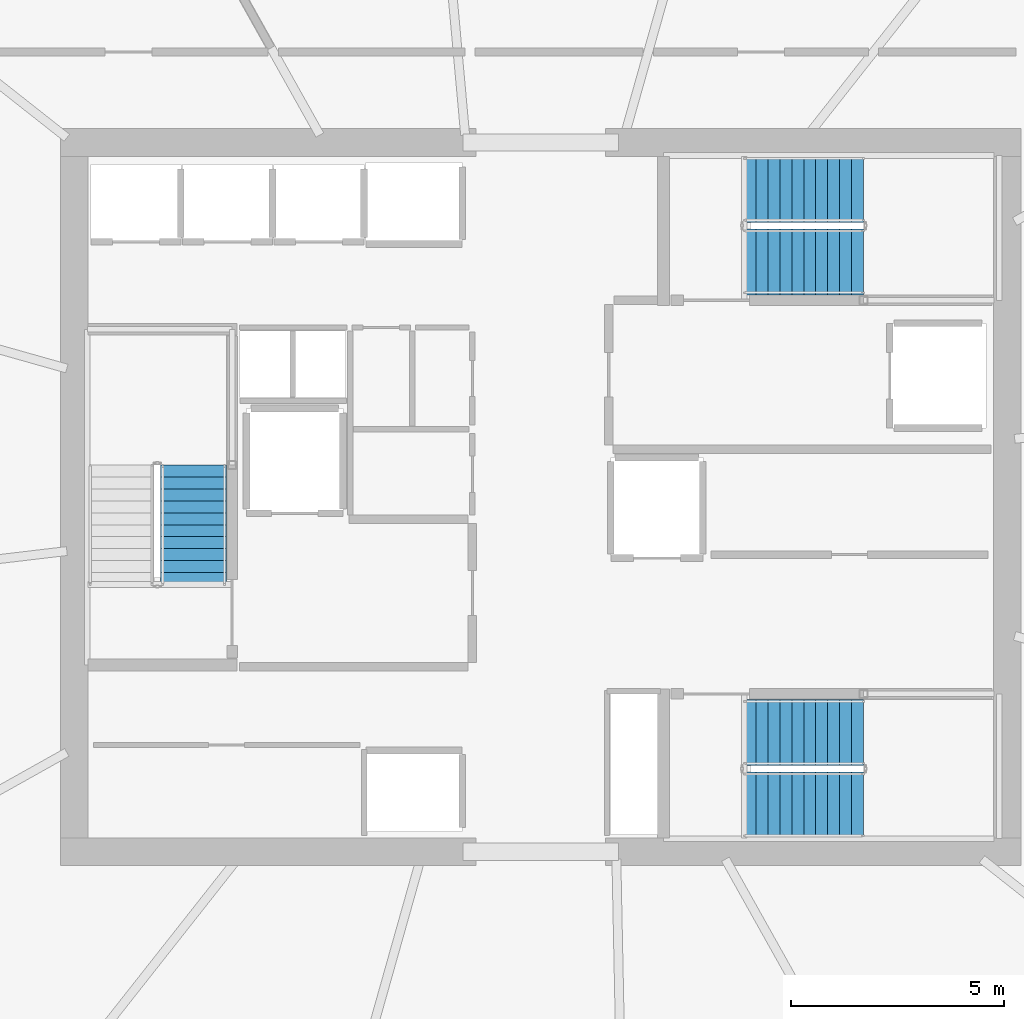
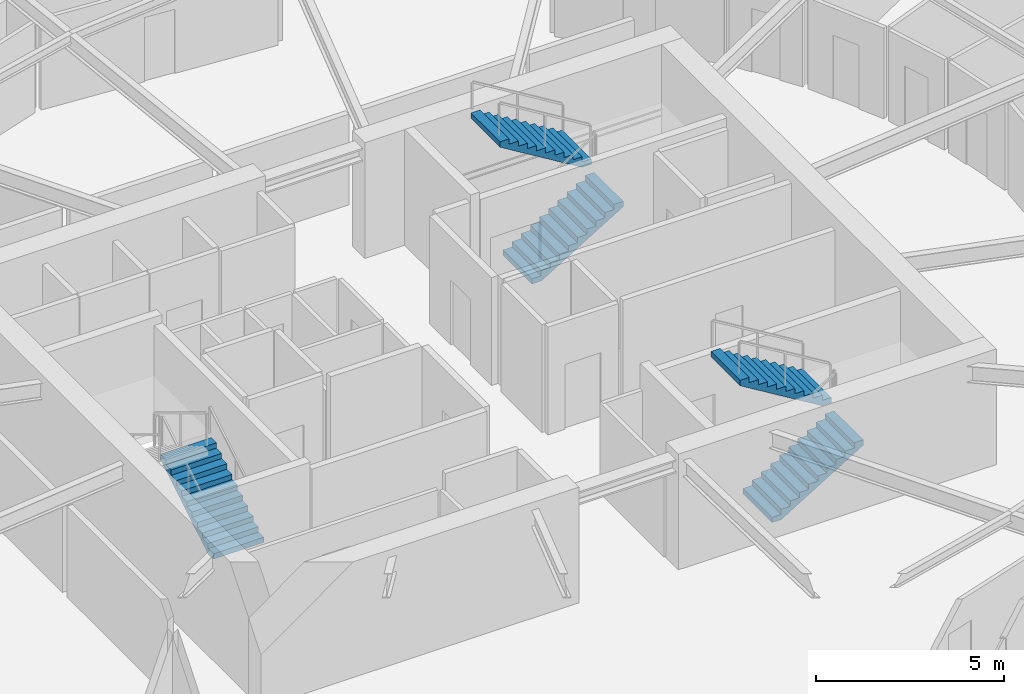
# One storey, part 16 of 21: 5 stair flights, 3 elements without a shape of their own.
"""IFC4 building model written with IfcOpenShell, lengths in metres."""

from ifc_helpers import new_model, si_unit, direction, frame, origin, place, context, subcontext, project, spatial, polyline, outline, extrude, material, type_object, element, aggregate, save


model = new_model("IFC4")

# Units and contexts
model_context = context("Model", 3, precision=1e-05, world=origin(), true_north=direction((0.0, 1.0)))
body_context = subcontext(model_context, "Body", "Model", "MODEL_VIEW")
ifc_project = project(units=[si_unit("LENGTHUNIT", "METRE"), si_unit("AREAUNIT", "SQUARE_METRE"), si_unit("VOLUMEUNIT", "CUBIC_METRE"), si_unit("PLANEANGLEUNIT", "RADIAN"), si_unit("MASSUNIT", "GRAM", prefix="KILO")], contexts=[model_context])

# Site, building, storey
site_placement = place(None, origin())
site = spatial("IfcSite", under=ifc_project, at=site_placement, CompositionType="ELEMENT")
building_placement = place(site_placement, origin())
building = spatial("IfcBuilding", under=site, at=building_placement, Name="Kazma Halo Residences", CompositionType="ELEMENT")
storey_placement = place(building_placement, frame((0.0, 0.0, 191.550048828125)))
storey = spatial("IfcBuildingStorey", under=building, at=storey_placement, Name="L48", CompositionType="ELEMENT", Elevation=191.550048828125)

# Stair, stair flight
ifc_material = material(Name="Concrete C50/60", Category="concrete")
stair_type = type_object("IfcStairType", Name="STR-RES1", PredefinedType="HALF_TURN_STAIR", material=ifc_material)
stair_1_placement = place(storey_placement, origin())
stair_1 = element("IfcStair", 1, at=stair_1_placement, inside=storey, type_object=stair_type, Name="L48 Core exit stair ST-01", PredefinedType="HALF_TURN_STAIR")
stair_flight_type = type_object("IfcStairFlightType", Name="STR-RES1-FLT", PredefinedType="STRAIGHT", material=ifc_material)
stair_flight_1_placement = place(storey_placement, frame((40.27490234375, 39.949951171875, 0.0), z_axis=(0.0, 0.0, 1.0), x_axis=(0.0, 1.0, 0.0)))
stair_flight_1 = element("IfcStairFlight", 2, at=stair_flight_1_placement, type_object=stair_flight_type, Name="ST-01 flight 1", NumberOfRisers=11, NumberOfTreads=10, PredefinedType="STRAIGHT", RiserHeight=0.170454545, TreadLength=0.28, context=body_context, shape_type="SweptSolid", body=[
    extrude(outline(polyline([(0.0, 0.0), (0.0, 0.17041015625), (0.280029296875, 0.17041015625), (0.280029296875, 0.3408203125), (0.56005859375, 0.3408203125), (0.56005859375, 0.511474609375), (0.840087890625, 0.511474609375), (0.840087890625, 0.681884765625), (1.1201171875, 0.681884765625), (1.1201171875, 0.852294921875), (1.39990234375, 0.852294921875), (1.39990234375, 1.022705078125), (1.679931640625, 1.022705078125), (1.679931640625, 1.193115234375), (1.9599609375, 1.193115234375), (1.9599609375, 1.363525390625), (2.239990234375, 1.363525390625), (2.239990234375, 1.5341796875), (2.52001953125, 1.5341796875), (2.52001953125, 1.70458984375), (2.800048828125, 1.70458984375), (2.800048828125, 1.875), (2.800048828125, 1.529052734375), (0.288330078125, 0.0), (0.0, 0.0)])), frame((0.0, 0.77490234375, 0.0), z_axis=(0.0, -1.0, 0.0), x_axis=(1.0, 0.0, 0.0)), (0.0, 0.0, 1.0), 1.550048828125),
])
aggregate(stair_1, [stair_flight_1])

# Stair, stair flights
stair_2_placement = place(storey_placement, origin())
stair_2 = element("IfcStair", 3, at=stair_2_placement, inside=storey, type_object=stair_type, Name="L48 Core exit stair ST-02", PredefinedType="HALF_TURN_STAIR")
stair_flight_2_placement = place(storey_placement, frame((53.199951171875, 47.52490234375, 0.0), z_axis=(0.0, 0.0, 1.0), x_axis=(1.0, 0.0, 0.0)))
stair_flight_2 = element("IfcStairFlight", 4, at=stair_flight_2_placement, type_object=stair_flight_type, Name="ST-02 flight 1", NumberOfRisers=11, NumberOfTreads=10, PredefinedType="STRAIGHT", RiserHeight=0.170454545, TreadLength=0.28, context=body_context, shape_type="SweptSolid", body=[
    extrude(outline(polyline([(0.0, 0.0), (0.0, 0.17041015625), (0.280029296875, 0.17041015625), (0.280029296875, 0.3408203125), (0.56005859375, 0.3408203125), (0.56005859375, 0.511474609375), (0.840087890625, 0.511474609375), (0.840087890625, 0.681884765625), (1.1201171875, 0.681884765625), (1.1201171875, 0.852294921875), (1.39990234375, 0.852294921875), (1.39990234375, 1.022705078125), (1.679931640625, 1.022705078125), (1.679931640625, 1.193115234375), (1.9599609375, 1.193115234375), (1.9599609375, 1.363525390625), (2.239990234375, 1.363525390625), (2.239990234375, 1.5341796875), (2.52001953125, 1.5341796875), (2.52001953125, 1.70458984375), (2.800048828125, 1.70458984375), (2.800048828125, 1.875), (2.800048828125, 1.529052734375), (0.288330078125, 0.0), (0.0, 0.0)])), frame((0.0, 0.77490234375, 0.0), z_axis=(0.0, -1.0, 0.0), x_axis=(1.0, 0.0, 0.0)), (0.0, 0.0, 1.0), 1.550048828125),
])
stair_flight_3_placement = place(storey_placement, frame((56.0, 49.22509765625, 1.875), z_axis=(0.0, 0.0, 1.0), x_axis=(-1.0, 0.0, 0.0)))
stair_flight_3 = element("IfcStairFlight", 5, at=stair_flight_3_placement, type_object=stair_flight_type, Name="ST-02 flight 2", NumberOfRisers=11, NumberOfTreads=10, PredefinedType="STRAIGHT", RiserHeight=0.170454545, TreadLength=0.28, context=body_context, shape_type="SweptSolid", body=[
    extrude(outline(polyline([(0.0, 0.0), (0.0, 0.17041015625), (0.280029296875, 0.17041015625), (0.280029296875, 0.3408203125), (0.56005859375, 0.3408203125), (0.56005859375, 0.511474609375), (0.840087890625, 0.511474609375), (0.840087890625, 0.681884765625), (1.1201171875, 0.681884765625), (1.1201171875, 0.852294921875), (1.39990234375, 0.852294921875), (1.39990234375, 1.022705078125), (1.679931640625, 1.022705078125), (1.679931640625, 1.193115234375), (1.9599609375, 1.193115234375), (1.9599609375, 1.363525390625), (2.239990234375, 1.363525390625), (2.239990234375, 1.5341796875), (2.52001953125, 1.5341796875), (2.52001953125, 1.70458984375), (2.800048828125, 1.70458984375), (2.800048828125, 1.875), (2.800048828125, 1.529052734375), (0.288330078125, 0.0), (0.0, 0.0)])), frame((0.0, 0.77490234375, 0.0), z_axis=(0.0, -1.0, 0.0), x_axis=(1.0, 0.0, 0.0)), (0.0, 0.0, 1.0), 1.550048828125),
])
aggregate(stair_2, [stair_flight_2, stair_flight_3])

stair_3_placement = place(storey_placement, origin())
stair_3 = element("IfcStair", 6, at=stair_3_placement, inside=storey, type_object=stair_type, Name="L48 Core exit stair ST-03", PredefinedType="HALF_TURN_STAIR")
stair_flight_4_placement = place(storey_placement, frame((53.199951171875, 34.77490234375, 0.0), z_axis=(0.0, 0.0, 1.0), x_axis=(1.0, 0.0, 0.0)))
stair_flight_4 = element("IfcStairFlight", 7, at=stair_flight_4_placement, type_object=stair_flight_type, Name="ST-03 flight 1", NumberOfRisers=11, NumberOfTreads=10, PredefinedType="STRAIGHT", RiserHeight=0.170454545, TreadLength=0.28, context=body_context, shape_type="SweptSolid", body=[
    extrude(outline(polyline([(0.0, 0.0), (0.0, 0.17041015625), (0.280029296875, 0.17041015625), (0.280029296875, 0.3408203125), (0.56005859375, 0.3408203125), (0.56005859375, 0.511474609375), (0.840087890625, 0.511474609375), (0.840087890625, 0.681884765625), (1.1201171875, 0.681884765625), (1.1201171875, 0.852294921875), (1.39990234375, 0.852294921875), (1.39990234375, 1.022705078125), (1.679931640625, 1.022705078125), (1.679931640625, 1.193115234375), (1.9599609375, 1.193115234375), (1.9599609375, 1.363525390625), (2.239990234375, 1.363525390625), (2.239990234375, 1.5341796875), (2.52001953125, 1.5341796875), (2.52001953125, 1.70458984375), (2.800048828125, 1.70458984375), (2.800048828125, 1.875), (2.800048828125, 1.529052734375), (0.288330078125, 0.0), (0.0, 0.0)])), frame((0.0, 0.77490234375, 0.0), z_axis=(0.0, -1.0, 0.0), x_axis=(1.0, 0.0, 0.0)), (0.0, 0.0, 1.0), 1.550048828125),
])
stair_flight_5_placement = place(storey_placement, frame((56.0, 36.47509765625, 1.875), z_axis=(0.0, 0.0, 1.0), x_axis=(-1.0, 0.0, 0.0)))
stair_flight_5 = element("IfcStairFlight", 8, at=stair_flight_5_placement, type_object=stair_flight_type, Name="ST-03 flight 2", NumberOfRisers=11, NumberOfTreads=10, PredefinedType="STRAIGHT", RiserHeight=0.170454545, TreadLength=0.28, context=body_context, shape_type="SweptSolid", body=[
    extrude(outline(polyline([(0.0, 0.0), (0.0, 0.17041015625), (0.280029296875, 0.17041015625), (0.280029296875, 0.3408203125), (0.56005859375, 0.3408203125), (0.56005859375, 0.511474609375), (0.840087890625, 0.511474609375), (0.840087890625, 0.681884765625), (1.1201171875, 0.681884765625), (1.1201171875, 0.852294921875), (1.39990234375, 0.852294921875), (1.39990234375, 1.022705078125), (1.679931640625, 1.022705078125), (1.679931640625, 1.193115234375), (1.9599609375, 1.193115234375), (1.9599609375, 1.363525390625), (2.239990234375, 1.363525390625), (2.239990234375, 1.5341796875), (2.52001953125, 1.5341796875), (2.52001953125, 1.70458984375), (2.800048828125, 1.70458984375), (2.800048828125, 1.875), (2.800048828125, 1.529052734375), (0.288330078125, 0.0), (0.0, 0.0)])), frame((0.0, 0.77490234375, 0.0), z_axis=(0.0, -1.0, 0.0), x_axis=(1.0, 0.0, 0.0)), (0.0, 0.0, 1.0), 1.550048828125),
])
aggregate(stair_3, [stair_flight_4, stair_flight_5])

save(model, "model.ifc")
